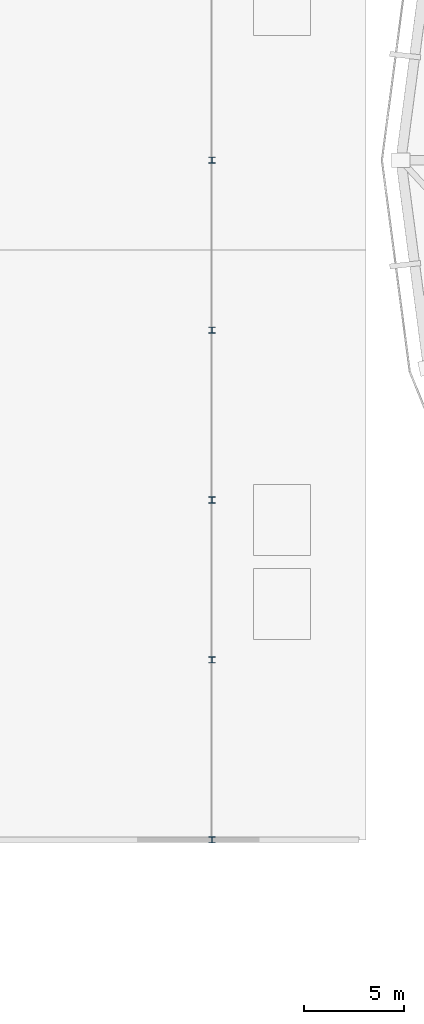
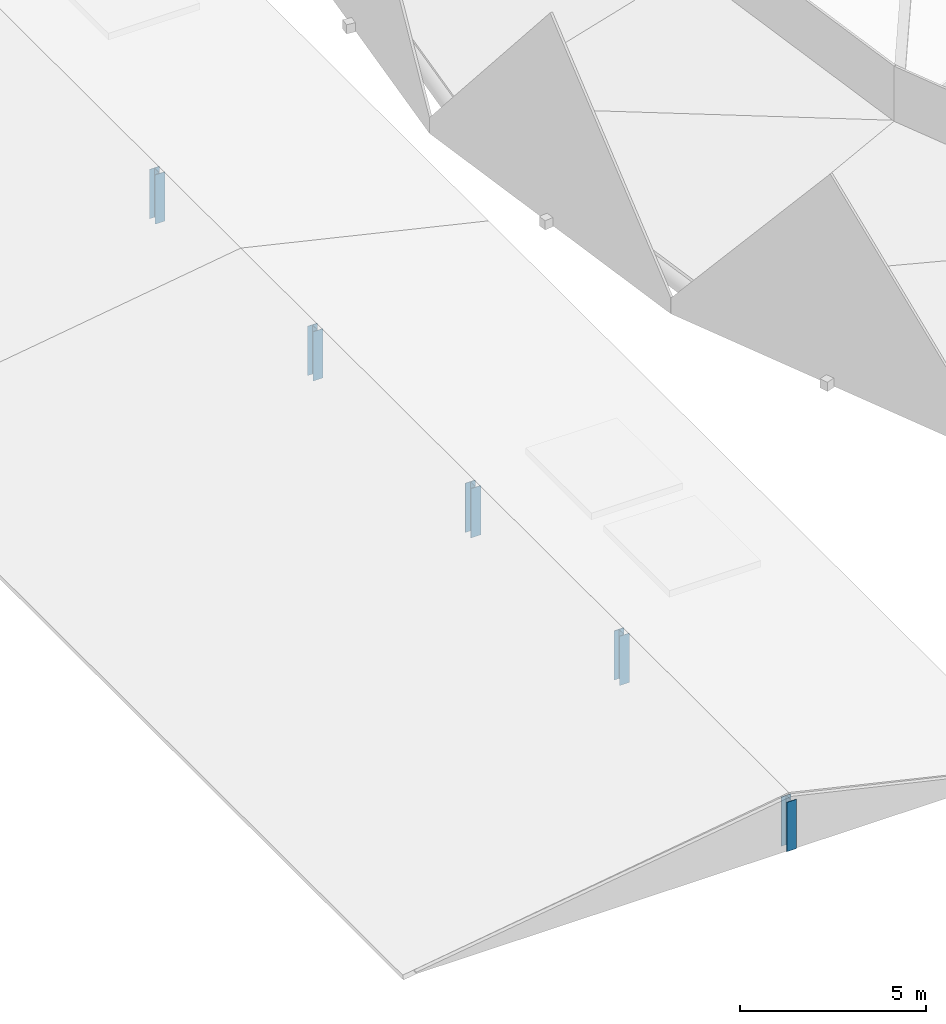
# One storey, part 1 of 27: 5 columns.
"""IFC4 building model written with IfcOpenShell, lengths in metres."""

from ifc_helpers import new_model, si_unit, direction, frame, origin, origin_2d, place, context, subcontext, project, spatial, i_section, extrude, material, material_profile, profile_set, type_object, element, save


model = new_model("IFC4")

# Units and contexts
model_context = context("Model", 3, precision=1e-05, world=origin(), true_north=direction((0.0, 1.0)))
body_context = subcontext(model_context, "Body", "Model", "MODEL_VIEW")
ifc_project = project(units=[si_unit("LENGTHUNIT", "METRE"), si_unit("AREAUNIT", "SQUARE_METRE"), si_unit("VOLUMEUNIT", "CUBIC_METRE"), si_unit("PLANEANGLEUNIT", "RADIAN"), si_unit("MASSUNIT", "GRAM", prefix="KILO")], contexts=[model_context])

# Site, building, storey
site_placement = place(None, origin())
site = spatial("IfcSite", under=ifc_project, at=site_placement, CompositionType="ELEMENT")
building_placement = place(site_placement, origin())
building = spatial("IfcBuilding", under=site, at=building_placement, Name="Cuetzalor Civic Arena", CompositionType="ELEMENT")
storey_placement = place(building_placement, frame((0.0, 0.0, 31.800048828125)))
storey = spatial("IfcBuildingStorey", under=building, at=storey_placement, Name="Roof", CompositionType="ELEMENT", Elevation=31.800048828125)

# Columns
ifc_material = material(Name="Steel S355", Category="steel")
ifc_material_profile = material_profile(ifc_material, i_section(OverallWidth=0.304931640625, OverallDepth=0.30810546875, WebThickness=0.010009765625, FlangeThickness=0.015380859375, at=origin_2d()), Name="W310x97")
ifc_profile_set = profile_set([ifc_material_profile], Name="Steel S355")
column_type = type_object("IfcColumnType", Name="SteelGalleryColumn_W310", PredefinedType="COLUMN", material=ifc_profile_set)
for number, where, z_axis, x_axis, name in (
    (1, (-64.0, -34.0, 0.0), (0.0, 0.0, 1.0), (1.0, 0.0, 0.0), "V4W Zinc Roof Ridge Post 1"),
    (2, (-64.0, -25.0, 0.0), (0.0, 0.0, 1.0), (1.0, 0.0, 0.0), "V4W Zinc Roof Ridge Post 2"),
    (3, (-64.0, -17.0, 0.0), (0.0, 0.0, 1.0), (1.0, 0.0, 0.0), "V4W Zinc Roof Ridge Post 3"),
    (4, (-64.0, -8.5, 0.0), (0.0, 0.0, 1.0), (1.0, 0.0, 0.0), "V4W Zinc Roof Ridge Post 4"),
    (5, (-64.0, 0.0, 0.0), (0.0, 0.0, 1.0), (1.0, 0.0, 0.0), "V4W Zinc Roof Ridge Post 5"),
):
    element("IfcColumn", number, at=place(storey_placement, frame(where, z_axis=z_axis, x_axis=x_axis)), inside=storey, type_object=column_type, Name=name, PredefinedType="COLUMN", context=body_context, shape_type="SweptSolid", body=[
        extrude(i_section(OverallWidth=0.304931640625, OverallDepth=0.30810546875, WebThickness=0.010009765625, FlangeThickness=0.015380859375, at=origin_2d()), origin(), (0.0, 0.0, 1.0), 1.619873046875),
    ])

save(model, "model.ifc")
